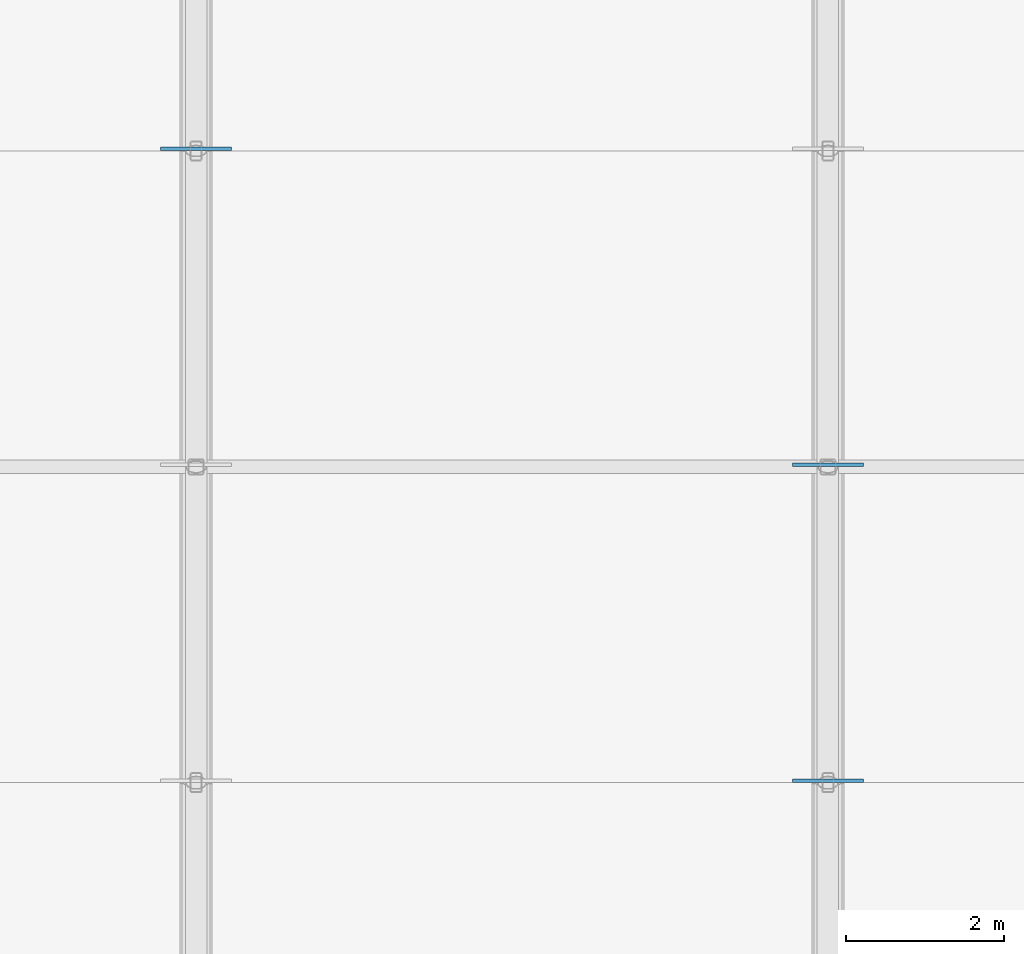
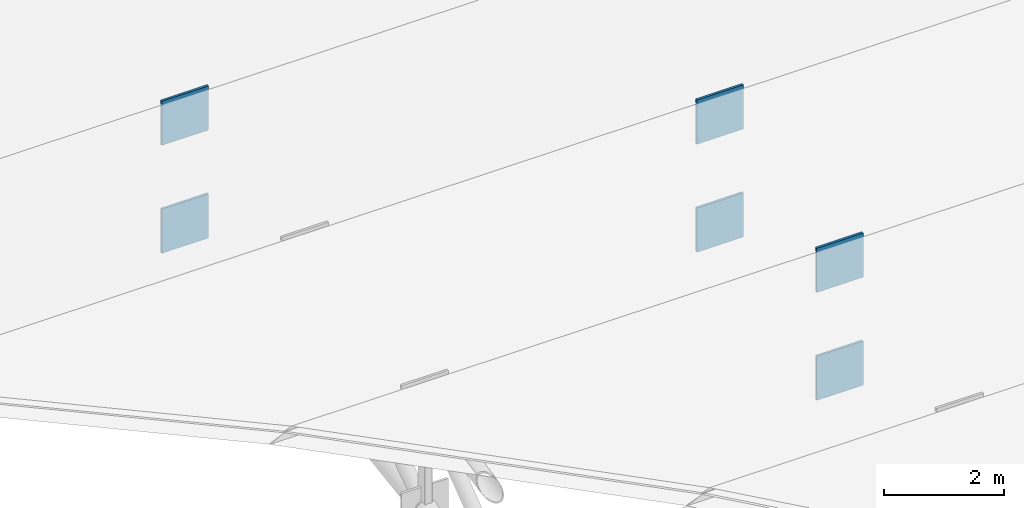
# One storey, part 75 of 98: 6 plates.
"""IFC4 building model written with IfcOpenShell, lengths in metres."""

from ifc_helpers import new_model, si_unit, direction, frame, origin, origin_2d, place, context, subcontext, project, spatial, rectangle, extrude, material, layer, layer_set, type_object, element, save


model = new_model("IFC4")

# Units and contexts
model_context = context("Model", 3, precision=1e-05, world=origin(), true_north=direction((0.0, 1.0)))
body_context = subcontext(model_context, "Body", "Model", "MODEL_VIEW")
ifc_project = project(units=[si_unit("LENGTHUNIT", "METRE"), si_unit("AREAUNIT", "SQUARE_METRE"), si_unit("VOLUMEUNIT", "CUBIC_METRE"), si_unit("PLANEANGLEUNIT", "RADIAN"), si_unit("MASSUNIT", "GRAM", prefix="KILO")], contexts=[model_context])

# Site, building, storey
site_placement = place(None, origin())
site = spatial("IfcSite", under=ifc_project, at=site_placement, CompositionType="ELEMENT")
building_placement = place(site_placement, origin())
building = spatial("IfcBuilding", under=site, at=building_placement, Name="Tlacozan Convention Centre", CompositionType="ELEMENT")
storey_placement = place(building_placement, frame((0.0, 0.0, 25.800048828125)))
storey = spatial("IfcBuildingStorey", under=building, at=storey_placement, Name="Roof", CompositionType="ELEMENT", Elevation=25.800048828125)

# Plates
ifc_material = material(Name="Steel ASTM A572 Grade 50", Category="steel")
ifc_layer = layer(ifc_material, 0.044921875)
ifc_layer_set = layer_set([ifc_layer], Name="Steel ASTM A572 Grade 50")
plate_type = type_object("IfcPlateType", Name="Arch Springing Node Gusset Plate", PredefinedType="SHEET", material=ifc_layer_set)
for number, where, z_axis, x_axis, name in (
    (1, (80.0, 90.0263671875, -3.165283203125), (0.0, 0.0, 1.0), (0.0, 1.0, 0.0), "Roof Gusset Cap Plate 355"),
    (2, (80.0, 90.0263671875, -5.365478515625), (0.0, 0.0, 1.0), (0.0, 1.0, 0.0), "Roof Gusset Cap Plate 356"),
    (3, (88.0, 82.02587890625, -4.11181640625), (0.0, 0.0, 1.0), (0.0, 1.0, 0.0), "Roof Gusset Cap Plate 385"),
    (4, (88.0, 82.02587890625, -6.311767578125), (0.0, 0.0, 1.0), (0.0, 1.0, 0.0), "Roof Gusset Cap Plate 386"),
    (5, (88.0, 86.026123046875, -3.518310546875), (0.0, 0.0, 1.0), (0.0, 1.0, 0.0), "Roof Gusset Cap Plate 387"),
    (6, (88.0, 86.026123046875, -5.71826171875), (0.0, 0.0, 1.0), (0.0, 1.0, 0.0), "Roof Gusset Cap Plate 388"),
):
    element("IfcPlate", number, at=place(storey_placement, frame(where, z_axis=z_axis, x_axis=x_axis)), inside=storey, type_object=plate_type, Name=name, PredefinedType="SHEET", context=body_context, shape_type="SweptSolid", body=[
        extrude(rectangle(XDim=0.044921875, YDim=0.89990234375, at=origin_2d()), origin(), (0.0, 0.0, 1.0), 0.89990234375),
    ])

save(model, "model.ifc")
